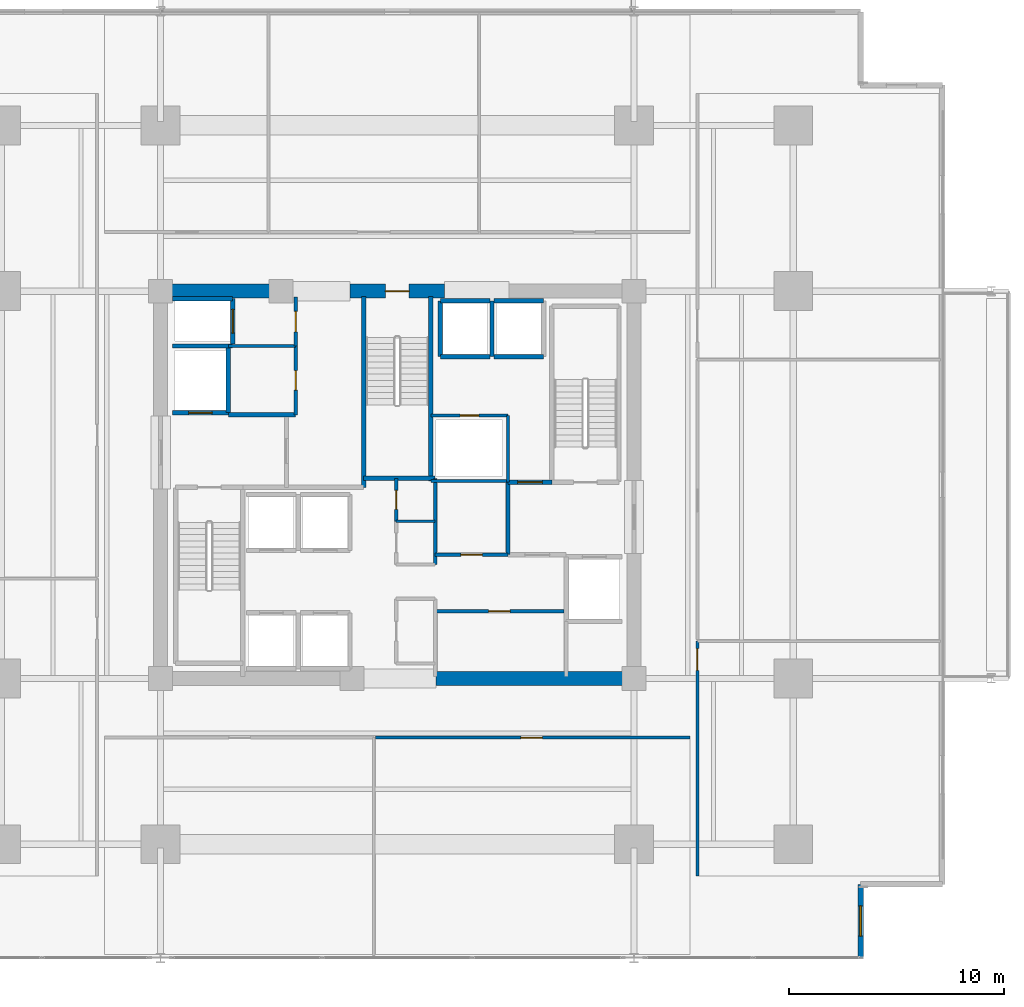
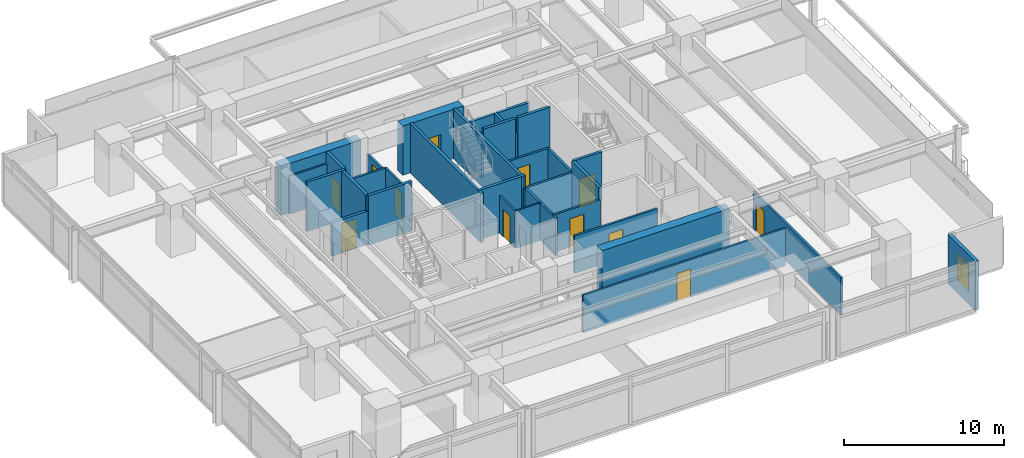
# One storey, part 16 of 22: 34 walls, 12 doors, 1 window, 13 openings.
"""IFC4 building model written with IfcOpenShell, lengths in metres."""

import ifcopenshell
import ifcopenshell.guid

model = None  # the IFC model being written
_history = None  # IfcOwnerHistory: only IFC2X3 demands one
_inside = {}  # id of a spatial element -> (the spatial element, [elements in it])
_under = {}  # id of a project, library or spatial element -> (it, [spatial elements below it])
_declared = {}  # id of a project -> (the project, [libraries it declares])
_typed = {}  # id of a type object -> (the type object, [elements of that type])
_made_of = {}  # id of a material, layer set ... -> (it, [elements and type objects made of it])


def new_model(schema):
    """Start an empty IFC model of exactly this schema.

    Asked for "IFC4X3", IfcOpenShell would pick the latest addendum, in which some entities
    have other attributes; the version numbers below select the first issue.
    IFC2X3 requires an IfcOwnerHistory on every rooted entity: one is made here for all.
    """
    global model, _history
    if schema == "IFC4X3":
        model = ifcopenshell.file(schema_version=(4, 3, 0, 0))
    else:
        model = ifcopenshell.file(schema=schema)
    _inside.clear()
    _under.clear()
    _declared.clear()
    _typed.clear()
    _made_of.clear()
    _history = None
    if model.schema == "IFC2X3":
        org = make("IfcOrganization", Name="unknown")
        user = make(
            "IfcPersonAndOrganization",
            ThePerson=make("IfcPerson", FamilyName="unknown"),
            TheOrganization=org,
        )
        app = make(
            "IfcApplication",
            ApplicationDeveloper=org,
            Version="unknown",
            ApplicationFullName="unknown",
            ApplicationIdentifier="unknown",
        )
        _history = make(
            "IfcOwnerHistory",
            OwningUser=user,
            OwningApplication=app,
            ChangeAction="ADDED",
            CreationDate=0,
        )
    return model


def make(cls, **values):
    """One entity of the class cls with the attributes given. An attribute that is None is left unset."""
    return model.create_entity(
        cls, **{name: value for name, value in values.items() if value is not None}
    )


def rooted(cls, **values):
    """An entity with a GlobalId (a new one), such as an element, a storey or a relation."""
    return make(cls, GlobalId=ifcopenshell.guid.new(), OwnerHistory=_history, **values)


def si_unit(unit_type, name, prefix=None):
    """IfcSIUnit, for example si_unit("LENGTHUNIT", "METRE", prefix="MILLI")."""
    return make("IfcSIUnit", UnitType=unit_type, Prefix=prefix, Name=name)


def assignment(units):
    """IfcUnitAssignment: the units of a project."""
    return None if units is None else make("IfcUnitAssignment", Units=units)


def point(xyz):
    """IfcCartesianPoint."""
    return None if xyz is None else make("IfcCartesianPoint", Coordinates=xyz)


def direction(xyz):
    """IfcDirection."""
    return None if xyz is None else make("IfcDirection", DirectionRatios=xyz)


def frame(location, z_axis=None, x_axis=None):
    """IfcAxis2Placement3D, a coordinate frame: its origin and axes. An axis left out is left unset."""
    return make(
        "IfcAxis2Placement3D",
        Location=point(location),
        Axis=direction(z_axis),
        RefDirection=direction(x_axis),
    )


def frame_2d(location, x_axis=None):
    """IfcAxis2Placement2D, a coordinate frame in the plane: its origin and x axis."""
    return make(
        "IfcAxis2Placement2D", Location=point(location), RefDirection=direction(x_axis)
    )


def origin():
    """The frame at (0, 0, 0) with its axes left unset."""
    return frame((0.0, 0.0, 0.0))


def place(relative_to, where):
    """IfcLocalPlacement: puts the frame where relative to a parent placement (None: the world)."""
    return make(
        "IfcLocalPlacement", PlacementRelTo=relative_to, RelativePlacement=where
    )


def context(
    kind, dimensions, precision=None, world=None, true_north=None, identifier=None
):
    """IfcGeometricRepresentationContext, for example the 3D "Model" context."""
    return make(
        "IfcGeometricRepresentationContext",
        ContextIdentifier=identifier,
        ContextType=kind,
        CoordinateSpaceDimension=dimensions,
        Precision=precision,
        WorldCoordinateSystem=world,
        TrueNorth=true_north,
    )


def subcontext(parent, identifier, kind, view, scale=None):
    """IfcGeometricRepresentationSubContext, for example "Body" below "Model"."""
    return make(
        "IfcGeometricRepresentationSubContext",
        ContextIdentifier=identifier,
        ContextType=kind,
        ParentContext=parent,
        TargetScale=scale,
        TargetView=view,
    )


def project(units=None, contexts=None):
    """IfcProject with its units and contexts."""
    return rooted(
        "IfcProject",
        Name="project",
        RepresentationContexts=contexts,
        UnitsInContext=assignment(units),
    )


def spatial(cls, under=None, at=None, **own):
    """A site, building, storey or space (cls), placed at a placement, below another one or the project."""
    s = rooted(cls, ObjectPlacement=at, **own)
    if under is not None:
        _under.setdefault(under.id(), (under, []))[1].append(s)
    return s


def profile(cls, at=None, kind="AREA", **sizes):
    """A parametric profile (cls). Its sizes go by their IFC names, for example OverallWidth=200.0."""
    return make(cls, ProfileType=kind, Position=at, **sizes)


def rectangle(**sizes):
    """IfcRectangleProfileDef."""
    return profile("IfcRectangleProfileDef", **sizes)


def extrude(swept, where, along, depth):
    """IfcExtrudedAreaSolid: the profile swept, set in the frame where, extruded along a direction by depth."""
    return make(
        "IfcExtrudedAreaSolid",
        SweptArea=swept,
        Position=where,
        ExtrudedDirection=direction(along),
        Depth=depth,
    )


def shape(context_of_items, identifier, shape_type, items):
    """IfcShapeRepresentation: the items that make up one representation, for example the "Body"."""
    return make(
        "IfcShapeRepresentation",
        ContextOfItems=context_of_items,
        RepresentationIdentifier=identifier,
        RepresentationType=shape_type,
        Items=items,
    )


def material(Name=None, Category=None):
    """IfcMaterial."""
    return make("IfcMaterial", Name=Name, Category=Category)


def layer(
    of_material, thickness, ventilated=None, Name=None, Category=None, Priority=None
):
    """IfcMaterialLayer: one layer of a wall or slab, of a material (None: an air gap)."""
    return make(
        "IfcMaterialLayer",
        Material=of_material,
        LayerThickness=thickness,
        IsVentilated=ventilated,
        Name=Name,
        Category=Category,
        Priority=Priority,
    )


def layer_set(layers, Name=None):
    """IfcMaterialLayerSet."""
    return make("IfcMaterialLayerSet", MaterialLayers=layers, LayerSetName=Name)


def made_of(thing, what):
    """Note that an element or type object is made of a material, layer set ...; save() writes the relation."""
    if what is not None:
        _made_of.setdefault(what.id(), (what, []))[1].append(thing)
    return thing


def type_object(cls, material=None, **own):
    """A type object (cls), such as IfcWallType, which elements share."""
    return made_of(rooted(cls, **own), material)


def element(
    cls,
    number,
    at=None,
    inside=None,
    cuts=None,
    type_object=None,
    material=None,
    context=None,
    identifier="Body",
    shape_type=None,
    held_by="IfcProductDefinitionShape",
    body=None,
    shapes=None,
    **own,
):
    """One element of the class cls, such as IfcWall. Its Tag is "e" and its number.

    at: its placement. inside: the storey or other place that contains it. cuts: it is an
    opening in that element (IfcRelVoidsElement). A single representation is given by context,
    identifier, shape_type and body (its items); several are given by shapes. held_by: the class
    of the entity that holds the representations. save() writes the other relations.
    """
    e = rooted(cls, Tag="e%d" % number, ObjectPlacement=at, **own)
    if body is not None:
        shapes = [shape(context, identifier, shape_type, body)]
    if shapes is not None:
        e.Representation = make(held_by, Representations=shapes)
    if inside is not None:
        _inside.setdefault(inside.id(), (inside, []))[1].append(e)
    if cuts is not None:
        rooted(
            "IfcRelVoidsElement", RelatingBuildingElement=cuts, RelatedOpeningElement=e
        )
    if type_object is not None:
        _typed.setdefault(type_object.id(), (type_object, []))[1].append(e)
    return made_of(e, material)


def fill(opening, filler):
    """IfcRelFillsElement: the door or window that sits in an opening."""
    return rooted(
        "IfcRelFillsElement",
        RelatingOpeningElement=opening,
        RelatedBuildingElement=filler,
    )


def aggregate(whole, parts):
    """IfcRelAggregates: a whole, such as a stair, and the parts it consists of."""
    return rooted("IfcRelAggregates", RelatingObject=whole, RelatedObjects=parts)


def save(model, path):
    """Write the relations noted so far, then the file.

    IfcRelAggregates (storeys below a building ...), IfcRelContainedInSpatialStructure (elements
    in a storey), IfcRelDefinesByType, IfcRelAssociatesMaterial and IfcRelDeclares: one each for
    every whole, place, type object, material and project.
    """
    for whole, parts in _under.values():
        aggregate(whole, parts)
    for where, things in _inside.values():
        rooted(
            "IfcRelContainedInSpatialStructure",
            RelatedElements=things,
            RelatingStructure=where,
        )
    for kind, things in _typed.values():
        rooted("IfcRelDefinesByType", RelatedObjects=things, RelatingType=kind)
    for what, things in _made_of.values():
        rooted("IfcRelAssociatesMaterial", RelatedObjects=things, RelatingMaterial=what)
    for by, libraries in _declared.values():
        rooted("IfcRelDeclares", RelatingContext=by, RelatedDefinitions=libraries)
    model.write(path)


model = new_model("IFC4")

# Units and contexts
model_context = context("Model", 3, precision=1e-05, world=origin(), true_north=direction((0.0, 1.0)))
body_context = subcontext(model_context, "Body", "Model", "MODEL_VIEW")
ifc_project = project(units=[si_unit("LENGTHUNIT", "METRE"), si_unit("AREAUNIT", "SQUARE_METRE"), si_unit("VOLUMEUNIT", "CUBIC_METRE"), si_unit("PLANEANGLEUNIT", "RADIAN"), si_unit("MASSUNIT", "GRAM", prefix="KILO")], contexts=[model_context])

# Site, building, storey
site_placement = place(None, origin())
site = spatial("IfcSite", under=ifc_project, at=site_placement, CompositionType="ELEMENT")
building_placement = place(site_placement, origin())
building = spatial("IfcBuilding", under=site, at=building_placement, Name="Kovane Verandah Tower", CompositionType="ELEMENT")
storey_placement = place(building_placement, frame((0.0, 0.0, 43.60009765625)))
storey = spatial("IfcBuildingStorey", under=building, at=storey_placement, Name="L09", CompositionType="ELEMENT", Elevation=43.60009765625)

# Wall
ifc_material_1 = material(Name="Fire-Rated Gypsum Stud Partition", Category="gypsum")
ifc_layer_1 = layer(ifc_material_1, 0.14990234375)
ifc_layer_set_1 = layer_set([ifc_layer_1], Name="Fire-Rated Gypsum Stud Partition")
wall_type_1 = type_object("IfcWallType", Name="WL-COR-150", PredefinedType="PARTITIONING", material=ifc_layer_set_1)
wall_1_placement = place(storey_placement, frame((41.760009765625, 23.800048828125, 0.0), z_axis=(0.0, 0.0, 1.0), x_axis=(0.0, 1.0, 0.0)))
element("IfcWall", 1, at=wall_1_placement, inside=storey, type_object=wall_type_1, Name="L09 Central Core Strip Upper East Wall", PredefinedType="PARTITIONING", context=body_context, shape_type="SweptSolid", body=[
    extrude(rectangle(XDim=4.0, YDim=0.14990234375, at=frame_2d((2.0, 0.0))), origin(), (0.0, 0.0, 1.0), 2.849853515625),
])

# Wall, opening, door
wall_2_placement = place(storey_placement, frame((39.949951171875, 25.800048828125, 0.0), z_axis=(0.0, 0.0, 1.0), x_axis=(0.0, 1.0, 0.0)))
wall_2 = element("IfcWall", 2, at=wall_2_placement, inside=storey, type_object=wall_type_1, Name="L09 Telecom and BMS Riser Room Partition", PredefinedType="PARTITIONING", context=body_context, shape_type="SweptSolid", body=[
    extrude(rectangle(XDim=2.0, YDim=0.14990234375, at=frame_2d((1.0, 0.0))), origin(), (0.0, 0.0, 1.0), 2.849853515625),
])
opening_1_placement = place(wall_2_placement, frame((0.56005859375, 0.0, 0.0)))
opening_1 = element("IfcOpeningElement", 3, at=opening_1_placement, cuts=wall_2, Name="Opening DR-L09-023", PredefinedType="OPENING", context=body_context, shape_type="SweptSolid", body=[
    extrude(rectangle(XDim=0.8798828125, YDim=2.10009765625, at=frame_2d((0.43994140625, 1.050048828125))), frame((0.0, 0.074951171875, 0.0), z_axis=(0.0, -1.0, 0.0), x_axis=(1.0, 0.0, 0.0)), (0.0, 0.0, 1.0), 0.14990234375),
])
ifc_material_2 = material(Name="Fire-Rated Steel Riser Access Door", Category="steel")
door_type_1 = type_object("IfcDoorType", Name="DR-RISER-880", OperationType="SINGLE_SWING_LEFT", PredefinedType="DOOR", material=ifc_material_2)
door_1_placement = place(opening_1_placement, origin())
door_1 = element("IfcDoor", 4, at=door_1_placement, inside=storey, type_object=door_type_1, Name="L09 Telecom and BMS Riser Room Door", OperationType="SINGLE_SWING_LEFT", OverallHeight=2.10009765625, OverallWidth=0.8798828125, PredefinedType="DOOR", context=body_context, shape_type="SweptSolid", body=[
    extrude(rectangle(XDim=0.8798828125, YDim=2.10009765625, at=frame_2d((0.43994140625, 1.050048828125))), frame((0.0, 0.02490234375, 0.0), z_axis=(0.0, -1.0, 0.0), x_axis=(1.0, 0.0, 0.0)), (0.0, 0.0, 1.0), 0.050048828125),
])
fill(opening_1, door_1)

# Wall
wall_3_placement = place(storey_placement, frame((32.14990234375, 33.949951171875, 0.0), z_axis=(0.0, 0.0, 1.0), x_axis=(1.0, 0.0, 0.0)))
element("IfcWall", 5, at=wall_3_placement, inside=storey, type_object=wall_type_1, Name="L09 Goods Lift Lobby South Wall", PredefinedType="PARTITIONING", context=body_context, shape_type="SweptSolid", body=[
    extrude(rectangle(XDim=3.130126953125, YDim=0.14990234375, at=frame_2d((1.56494140625, 0.0))), origin(), (0.0, 0.0, 1.0), 2.849853515625),
])

# Wall, opening, door
wall_4_placement = place(storey_placement, frame((35.280029296875, 33.949951171875, 0.0), z_axis=(0.0, 0.0, 1.0), x_axis=(0.0, 1.0, 0.0)))
wall_4 = element("IfcWall", 6, at=wall_4_placement, inside=storey, type_object=wall_type_1, Name="L09 Goods Lift Lobby East Fire Partition", PredefinedType="PARTITIONING", context=body_context, shape_type="SweptSolid", body=[
    extrude(rectangle(XDim=2.27001953125, YDim=0.14990234375, at=frame_2d((1.135009765625, 0.0))), origin(), (0.0, 0.0, 1.0), 2.539794921875),
])
opening_2_placement = place(wall_4_placement, frame((0.659912109375, 0.0, 0.0)))
opening_2 = element("IfcOpeningElement", 7, at=opening_2_placement, cuts=wall_4, Name="Opening DR-L09-008", PredefinedType="OPENING", context=body_context, shape_type="SweptSolid", body=[
    extrude(rectangle(XDim=0.949951171875, YDim=2.14990234375, at=frame_2d((0.47509765625, 1.074951171875))), frame((0.0, 0.074951171875, 0.0), z_axis=(0.0, -1.0, 0.0), x_axis=(1.0, 0.0, 0.0)), (0.0, 0.0, 1.0), 0.14990234375),
])
ifc_material_3 = material(Name="Fire-Rated Steel Refuge and Lobby Door", Category="steel")
door_type_2 = type_object("IfcDoorType", Name="DR-FIRE-950", OperationType="SINGLE_SWING_LEFT", PredefinedType="DOOR", material=ifc_material_3)
door_2_placement = place(opening_2_placement, origin())
door_2 = element("IfcDoor", 8, at=door_2_placement, inside=storey, type_object=door_type_2, Name="L09 Goods Lift Lobby Fire Door", OperationType="SINGLE_SWING_RIGHT", OverallHeight=2.14990234375, OverallWidth=0.949951171875, PredefinedType="DOOR", context=body_context, shape_type="SweptSolid", body=[
    extrude(rectangle(XDim=0.949951171875, YDim=2.14990234375, at=frame_2d((0.47509765625, 1.074951171875))), frame((0.0, 0.02490234375, 0.0), z_axis=(0.0, -1.0, 0.0), x_axis=(1.0, 0.0, 0.0)), (0.0, 0.0, 1.0), 0.050048828125),
])
fill(opening_2, door_2)

wall_5_placement = place(storey_placement, frame((35.280029296875, 30.75, 0.0), z_axis=(0.0, 0.0, 1.0), x_axis=(0.0, 1.0, 0.0)))
wall_5 = element("IfcWall", 9, at=wall_5_placement, inside=storey, type_object=wall_type_1, Name="L09 Accessible Unisex Toilet Partition", PredefinedType="PARTITIONING", context=body_context, shape_type="SweptSolid", body=[
    extrude(rectangle(XDim=3.199951171875, YDim=0.14990234375, at=frame_2d((1.60009765625, 0.0))), origin(), (0.0, 0.0, 1.0), 2.849853515625),
])
opening_3_placement = place(wall_5_placement, frame((1.14990234375, 0.0, 0.0)))
opening_3 = element("IfcOpeningElement", 10, at=opening_3_placement, cuts=wall_5, Name="Opening DR-L09-024", PredefinedType="OPENING", context=body_context, shape_type="SweptSolid", body=[
    extrude(rectangle(XDim=0.89990234375, YDim=2.10009765625, at=frame_2d((0.449951171875, 1.050048828125))), frame((0.0, 0.074951171875, 0.0), z_axis=(0.0, -1.0, 0.0), x_axis=(1.0, 0.0, 0.0)), (0.0, 0.0, 1.0), 0.14990234375),
])
ifc_material_4 = material(Name="Moisture-Resistant Laminate Washroom Door", Category="wood")
door_type_3 = type_object("IfcDoorType", Name="DR-WC-900", OperationType="SINGLE_SWING_LEFT", PredefinedType="DOOR", material=ifc_material_4)
door_3_placement = place(opening_3_placement, origin())
door_3 = element("IfcDoor", 11, at=door_3_placement, inside=storey, type_object=door_type_3, Name="L09 Accessible Unisex Toilet Door", OperationType="SINGLE_SWING_LEFT", OverallHeight=2.10009765625, OverallWidth=0.89990234375, PredefinedType="DOOR", context=body_context, shape_type="SweptSolid", body=[
    extrude(rectangle(XDim=0.89990234375, YDim=2.10009765625, at=frame_2d((0.449951171875, 1.050048828125))), frame((0.0, 0.02490234375, 0.0), z_axis=(0.0, -1.0, 0.0), x_axis=(1.0, 0.0, 0.0)), (0.0, 0.0, 1.0), 0.050048828125),
])
fill(opening_3, door_3)

# Wall
wall_6_placement = place(storey_placement, frame((41.56005859375, 27.679931640625, 0.0), z_axis=(0.0, 0.0, 1.0), x_axis=(1.0, 0.0, 0.0)))
element("IfcWall", 12, at=wall_6_placement, inside=storey, type_object=wall_type_1, Name="L09 East Core Service Riser South Wall", PredefinedType="PARTITIONING", context=body_context, shape_type="SweptSolid", body=[
    extrude(rectangle(XDim=3.58984375, YDim=0.14990234375, at=frame_2d((1.794921875, 0.0))), origin(), (0.0, 0.0, 1.0), 2.849853515625),
])

# Wall, opening, door
wall_7_placement = place(storey_placement, frame((41.760009765625, 21.6201171875, 0.0), z_axis=(0.0, 0.0, 1.0), x_axis=(1.0, 0.0, 0.0)))
wall_7 = element("IfcWall", 13, at=wall_7_placement, inside=storey, type_object=wall_type_1, Name="L09 Records Vault Room Partition", PredefinedType="PARTITIONING", context=body_context, shape_type="SweptSolid", body=[
    extrude(rectangle(XDim=5.97998046875, YDim=0.14990234375, at=frame_2d((2.989990234375, 0.0))), origin(), (0.0, 0.0, 1.0), 2.849853515625),
])
opening_4_placement = place(wall_7_placement, frame((2.489990234375, 0.0, 0.0)))
opening_4 = element("IfcOpeningElement", 14, at=opening_4_placement, cuts=wall_7, Name="Opening DR-L09-015", PredefinedType="OPENING", context=body_context, shape_type="SweptSolid", body=[
    extrude(rectangle(XDim=1.0, YDim=2.14990234375, at=frame_2d((0.5, 1.074951171875))), frame((0.0, 0.074951171875, 0.0), z_axis=(0.0, -1.0, 0.0), x_axis=(1.0, 0.0, 0.0)), (0.0, 0.0, 1.0), 0.14990234375),
])
ifc_material_5 = material(Name="FSC Spotted-Gum Timber Fire-Rated Office Door", Category="wood")
door_type_4 = type_object("IfcDoorType", Name="DR-OFF-1000", OperationType="SINGLE_SWING_LEFT", PredefinedType="DOOR", material=ifc_material_5)
door_4_placement = place(opening_4_placement, origin())
door_4 = element("IfcDoor", 15, at=door_4_placement, inside=storey, type_object=door_type_4, Name="L09 Records Vault Room Door", OperationType="SINGLE_SWING_RIGHT", OverallHeight=2.14990234375, OverallWidth=1.0, PredefinedType="DOOR", context=body_context, shape_type="SweptSolid", body=[
    extrude(rectangle(XDim=1.0, YDim=2.14990234375, at=frame_2d((0.5, 1.074951171875))), frame((0.0, 0.02490234375, 0.0), z_axis=(0.0, -1.0, 0.0), x_axis=(1.0, 0.0, 0.0)), (0.0, 0.0, 1.0), 0.050048828125),
])
fill(opening_4, door_4)

wall_8_placement = place(storey_placement, frame((41.760009765625, 24.25, 0.0), z_axis=(0.0, 0.0, 1.0), x_axis=(1.0, 0.0, 0.0)))
wall_8 = element("IfcWall", 16, at=wall_8_placement, inside=storey, type_object=wall_type_1, Name="L09 Document Archive Room Partition", PredefinedType="PARTITIONING", context=body_context, shape_type="SweptSolid", body=[
    extrude(rectangle(XDim=3.389892578125, YDim=0.14990234375, at=frame_2d((1.69482421875, 0.0))), origin(), (0.0, 0.0, 1.0), 2.849853515625),
])
opening_5_placement = place(wall_8_placement, frame((1.195068359375, 0.0, 0.0)))
opening_5 = element("IfcOpeningElement", 17, at=opening_5_placement, cuts=wall_8, Name="Opening DR-L09-016", PredefinedType="OPENING", context=body_context, shape_type="SweptSolid", body=[
    extrude(rectangle(XDim=1.0, YDim=2.14990234375, at=frame_2d((0.5, 1.074951171875))), frame((0.0, 0.074951171875, 0.0), z_axis=(0.0, -1.0, 0.0), x_axis=(1.0, 0.0, 0.0)), (0.0, 0.0, 1.0), 0.14990234375),
])
door_5_placement = place(opening_5_placement, origin())
door_5 = element("IfcDoor", 18, at=door_5_placement, inside=storey, type_object=door_type_4, Name="L09 Document Archive Room Door", OperationType="SINGLE_SWING_LEFT", OverallHeight=2.14990234375, OverallWidth=1.0, PredefinedType="DOOR", context=body_context, shape_type="SweptSolid", body=[
    extrude(rectangle(XDim=1.0, YDim=2.14990234375, at=frame_2d((0.5, 1.074951171875))), frame((0.0, 0.02490234375, 0.0), z_axis=(0.0, -1.0, 0.0), x_axis=(1.0, 0.0, 0.0)), (0.0, 0.0, 1.0), 0.050048828125),
])
fill(opening_5, door_5)

# Wall
wall_9_placement = place(storey_placement, frame((45.14990234375, 27.6201171875, 0.0), z_axis=(0.0, 0.0, 1.0), x_axis=(0.0, 1.0, 0.0)))
element("IfcWall", 19, at=wall_9_placement, inside=storey, type_object=wall_type_1, Name="L09 East Core Service Riser East Wall", PredefinedType="PARTITIONING", context=body_context, shape_type="SweptSolid", body=[
    extrude(rectangle(XDim=3.099853515625, YDim=0.14990234375, at=frame_2d((1.5498046875, 0.0))), origin(), (0.0, 0.0, 1.0), 2.849853515625),
])

# Wall, opening, door
wall_10_placement = place(storey_placement, frame((41.56005859375, 30.719970703125, 0.0), z_axis=(0.0, 0.0, 1.0), x_axis=(1.0, 0.0, 0.0)))
wall_10 = element("IfcWall", 20, at=wall_10_placement, inside=storey, type_object=wall_type_1, Name="L09 Combined Chilled Water and Smoke Duct Room Partition", PredefinedType="PARTITIONING", context=body_context, shape_type="SweptSolid", body=[
    extrude(rectangle(XDim=3.58984375, YDim=0.14990234375, at=frame_2d((1.794921875, 0.0))), origin(), (0.0, 0.0, 1.0), 2.849853515625),
])
opening_6_placement = place(wall_10_placement, frame((1.35498046875, 0.0, 0.0)))
opening_6 = element("IfcOpeningElement", 21, at=opening_6_placement, cuts=wall_10, Name="Opening DR-L09-017", PredefinedType="OPENING", context=body_context, shape_type="SweptSolid", body=[
    extrude(rectangle(XDim=0.8798828125, YDim=2.10009765625, at=frame_2d((0.43994140625, 1.050048828125))), frame((0.0, 0.074951171875, 0.0), z_axis=(0.0, -1.0, 0.0), x_axis=(1.0, 0.0, 0.0)), (0.0, 0.0, 1.0), 0.14990234375),
])
door_6_placement = place(opening_6_placement, origin())
door_6 = element("IfcDoor", 22, at=door_6_placement, inside=storey, type_object=door_type_1, Name="L09 Combined Chilled Water and Smoke Duct Room Door", OperationType="SINGLE_SWING_RIGHT", OverallHeight=2.10009765625, OverallWidth=0.8798828125, PredefinedType="DOOR", context=body_context, shape_type="SweptSolid", body=[
    extrude(rectangle(XDim=0.8798828125, YDim=2.10009765625, at=frame_2d((0.43994140625, 1.050048828125))), frame((0.0, 0.02490234375, 0.0), z_axis=(0.0, -1.0, 0.0), x_axis=(1.0, 0.0, 0.0)), (0.0, 0.0, 1.0), 0.050048828125),
])
fill(opening_6, door_6)

wall_11_placement = place(storey_placement, frame((38.98193359375, 15.75, 0.0), z_axis=(0.0, 0.0, 1.0), x_axis=(1.0, 0.0, 0.0)))
wall_11 = element("IfcWall", 23, at=wall_11_placement, inside=storey, type_object=wall_type_1, Name="L09 Breakout Pantry S2 Corridor Partition", PredefinedType="PARTITIONING", context=body_context, shape_type="SweptSolid", body=[
    extrude(rectangle(XDim=14.6181640625, YDim=0.14990234375, at=frame_2d((7.30908203125, 0.0))), origin(), (0.0, 0.0, 1.0), 2.849853515625),
])
opening_7_placement = place(wall_11_placement, frame((6.759033203125, 0.0, 0.0)))
opening_7 = element("IfcOpeningElement", 24, at=opening_7_placement, cuts=wall_11, Name="Opening DR-L09-022", PredefinedType="OPENING", context=body_context, shape_type="SweptSolid", body=[
    extrude(rectangle(XDim=1.0, YDim=2.14990234375, at=frame_2d((0.5, 1.074951171875))), frame((0.0, 0.074951171875, 0.0), z_axis=(0.0, -1.0, 0.0), x_axis=(1.0, 0.0, 0.0)), (0.0, 0.0, 1.0), 0.14990234375),
])
door_7_placement = place(opening_7_placement, origin())
door_7 = element("IfcDoor", 25, at=door_7_placement, inside=storey, type_object=door_type_4, Name="L09 Breakout Pantry S2 Entrance Door", OperationType="SINGLE_SWING_LEFT", OverallHeight=2.14990234375, OverallWidth=1.0, PredefinedType="DOOR", context=body_context, shape_type="SweptSolid", body=[
    extrude(rectangle(XDim=1.0, YDim=2.14990234375, at=frame_2d((0.5, 1.074951171875))), frame((0.0, 0.02490234375, 0.0), z_axis=(0.0, -1.0, 0.0), x_axis=(1.0, 0.0, 0.0)), (0.0, 0.0, 1.0), 0.050048828125),
])
fill(opening_7, door_7)

wall_12_placement = place(storey_placement, frame((53.949951171875, 9.326904296875, 0.0), z_axis=(0.0, 0.0, 1.0), x_axis=(0.0, 1.0, 0.0)))
wall_12 = element("IfcWall", 26, at=wall_12_placement, inside=storey, type_object=wall_type_1, Name="L09 Open Plan Office E1 Corridor Partition", PredefinedType="PARTITIONING", context=body_context, shape_type="SweptSolid", body=[
    extrude(rectangle(XDim=10.90380859375, YDim=0.14990234375, at=frame_2d((5.451904296875, 0.0))), origin(), (0.0, 0.0, 1.0), 2.849853515625),
])
opening_8_placement = place(wall_12_placement, frame((9.553466796875, 0.0, 0.0)))
opening_8 = element("IfcOpeningElement", 27, at=opening_8_placement, cuts=wall_12, Name="Opening DR-L09-012", PredefinedType="OPENING", context=body_context, shape_type="SweptSolid", body=[
    extrude(rectangle(XDim=1.0, YDim=2.14990234375, at=frame_2d((0.5, 1.074951171875))), frame((0.0, 0.074951171875, 0.0), z_axis=(0.0, -1.0, 0.0), x_axis=(1.0, 0.0, 0.0)), (0.0, 0.0, 1.0), 0.14990234375),
])
door_8_placement = place(opening_8_placement, origin())
door_8 = element("IfcDoor", 28, at=door_8_placement, inside=storey, type_object=door_type_4, Name="L09 Open Plan Office E1 Entrance Door", OperationType="SINGLE_SWING_RIGHT", OverallHeight=2.14990234375, OverallWidth=1.0, PredefinedType="DOOR", context=body_context, shape_type="SweptSolid", body=[
    extrude(rectangle(XDim=1.0, YDim=2.14990234375, at=frame_2d((0.5, 1.074951171875))), frame((0.0, 0.02490234375, 0.0), z_axis=(0.0, -1.0, 0.0), x_axis=(1.0, 0.0, 0.0)), (0.0, 0.0, 1.0), 0.050048828125),
])
fill(opening_8, door_8)

# Walls
ifc_material_6 = material(Name="Concrete C80/95", Category="concrete")
ifc_layer_2 = layer(ifc_material_6, 0.64990234375)
ifc_layer_set_2 = layer_set([ifc_layer_2], Name="Concrete C80/95")
wall_type_2 = type_object("IfcWallType", Name="WL-CORE-650", PredefinedType="SHEAR", material=ifc_layer_set_2)
wall_13_placement = place(storey_placement, frame((41.800048828125, 18.5, 0.0), z_axis=(0.0, 0.0, 1.0), x_axis=(1.0, 0.0, 0.0)))
element("IfcWall", 29, at=wall_13_placement, inside=storey, type_object=wall_type_2, Name="L09 Core Shear Wall CS-2", PredefinedType="SHEAR", context=body_context, shape_type="SweptSolid", body=[
    extrude(rectangle(XDim=9.199951171875, YDim=0.64990234375, at=frame_2d((4.60009765625, 0.0))), origin(), (0.0, 0.0, 1.0), 3.760009765625),
])
wall_14_placement = place(storey_placement, frame((29.0, 36.5, 0.0), z_axis=(0.0, 0.0, 1.0), x_axis=(1.0, 0.0, 0.0)))
element("IfcWall", 30, at=wall_14_placement, inside=storey, type_object=wall_type_2, Name="L09 Core Shear Wall CN-1", PredefinedType="SHEAR", context=body_context, shape_type="SweptSolid", body=[
    extrude(rectangle(XDim=5.800048828125, YDim=0.64990234375, at=frame_2d((2.89990234375, 0.0))), origin(), (0.0, 0.0, 1.0), 3.760009765625),
])

# Wall, opening, door
wall_15_placement = place(storey_placement, frame((37.800048828125, 36.5, 0.0), z_axis=(0.0, 0.0, 1.0), x_axis=(1.0, 0.0, 0.0)))
wall_15 = element("IfcWall", 31, at=wall_15_placement, inside=storey, type_object=wall_type_2, Name="L09 Core Shear Wall CN-2", PredefinedType="SHEAR", context=body_context, shape_type="SweptSolid", body=[
    extrude(rectangle(XDim=4.39990234375, YDim=0.64990234375, at=frame_2d((2.199951171875, 0.0))), origin(), (0.0, 0.0, 1.0), 3.760009765625),
])
opening_9_placement = place(wall_15_placement, frame((1.64990234375, 0.0, 0.0)))
opening_9 = element("IfcOpeningElement", 32, at=opening_9_placement, cuts=wall_15, Name="Opening DR-L09-011", PredefinedType="OPENING", context=body_context, shape_type="SweptSolid", body=[
    extrude(rectangle(XDim=1.10009765625, YDim=2.14990234375, at=frame_2d((0.550048828125, 1.074951171875))), frame((0.0, 0.324951171875, 0.0), z_axis=(0.0, -1.0, 0.0), x_axis=(1.0, 0.0, 0.0)), (0.0, 0.0, 1.0), 0.64990234375),
])
ifc_material_7 = material(Name="Fire-Rated Steel Exit Door", Category="steel")
door_type_5 = type_object("IfcDoorType", Name="DR-STAIR-1100", OperationType="SINGLE_SWING_LEFT", PredefinedType="DOOR", material=ifc_material_7)
door_9_placement = place(opening_9_placement, origin())
door_9 = element("IfcDoor", 33, at=door_9_placement, inside=storey, type_object=door_type_5, Name="L09 ST-03 Fire Exit Stair Door", OperationType="SINGLE_SWING_RIGHT", OverallHeight=2.14990234375, OverallWidth=1.10009765625, PredefinedType="DOOR", context=body_context, shape_type="SweptSolid", body=[
    extrude(rectangle(XDim=1.10009765625, YDim=2.14990234375, at=frame_2d((0.550048828125, 1.074951171875))), frame((0.0, 0.02490234375, 0.0), z_axis=(0.0, -1.0, 0.0), x_axis=(1.0, 0.0, 0.0)), (0.0, 0.0, 1.0), 0.050048828125),
])
fill(opening_9, door_9)

# Walls
ifc_material_8 = material(Name="Concrete C45/55 Fire Wall", Category="concrete")
ifc_layer_3 = layer(ifc_material_8, 0.199951171875)
ifc_layer_set_3 = layer_set([ifc_layer_3], Name="Concrete C45/55 Fire Wall")
wall_type_3 = type_object("IfcWallType", Name="WL-FFL-200", PredefinedType="PARTITIONING", material=ifc_layer_set_3)
wall_16_placement = place(storey_placement, frame((32.14990234375, 30.75, 0.0), z_axis=(0.0, 0.0, 1.0), x_axis=(1.0, 0.0, 0.0)))
element("IfcWall", 34, at=wall_16_placement, inside=storey, type_object=wall_type_3, Name="L09 West Firefighting Lobby North Fire Wall", PredefinedType="PARTITIONING", context=body_context, shape_type="SweptSolid", body=[
    extrude(rectangle(XDim=3.130126953125, YDim=0.199951171875, at=frame_2d((1.56494140625, 0.0))), origin(), (0.0, 0.0, 1.0), 3.760009765625),
])
wall_17_placement = place(storey_placement, frame((45.14990234375, 24.25, 0.0), z_axis=(0.0, 0.0, 1.0), x_axis=(0.0, 1.0, 0.0)))
element("IfcWall", 35, at=wall_17_placement, inside=storey, type_object=wall_type_3, Name="L09 East Firefighting Lobby West Fire Wall", PredefinedType="PARTITIONING", context=body_context, shape_type="SweptSolid", body=[
    extrude(rectangle(XDim=3.3701171875, YDim=0.199951171875, at=frame_2d((1.68505859375, 0.0))), origin(), (0.0, 0.0, 1.0), 3.760009765625),
])

# Wall, opening, door
wall_18_placement = place(storey_placement, frame((45.14990234375, 27.6201171875, 0.0), z_axis=(0.0, 0.0, 1.0), x_axis=(1.0, 0.0, 0.0)))
wall_18 = element("IfcWall", 36, at=wall_18_placement, inside=storey, type_object=wall_type_3, Name="W-L09-FFLE-N", PredefinedType="PARTITIONING", context=body_context, shape_type="SweptSolid", body=[
    extrude(rectangle(XDim=2.030029296875, YDim=0.199951171875, at=frame_2d((1.01513671875, 0.0))), origin(), (0.0, 0.0, 1.0), 3.760009765625),
])
opening_10_placement = place(wall_18_placement, frame((0.43994140625, 0.0, 0.0)))
opening_10 = element("IfcOpeningElement", 37, at=opening_10_placement, cuts=wall_18, Name="Opening DR-L09-004", PredefinedType="OPENING", context=body_context, shape_type="SweptSolid", body=[
    extrude(rectangle(XDim=1.14990234375, YDim=2.199951171875, at=frame_2d((0.574951171875, 1.10009765625))), frame((0.0, 0.10009765625, 0.0), z_axis=(0.0, -1.0, 0.0), x_axis=(1.0, 0.0, 0.0)), (0.0, 0.0, 1.0), 0.199951171875),
])
ifc_material_9 = material(Name="Smoke-Sealed Firefighting Lobby Door", Category="steel")
door_type_6 = type_object("IfcDoorType", Name="DR-FFL-1150", OperationType="SINGLE_SWING_LEFT", PredefinedType="DOOR", material=ifc_material_9)
door_10_placement = place(opening_10_placement, origin())
door_10 = element("IfcDoor", 38, at=door_10_placement, inside=storey, type_object=door_type_6, Name="L09 East Firefighting Lobby Shuttle Link Door", OperationType="SINGLE_SWING_LEFT", OverallHeight=2.199951171875, OverallWidth=1.14990234375, PredefinedType="DOOR", context=body_context, shape_type="SweptSolid", body=[
    extrude(rectangle(XDim=1.14990234375, YDim=2.199951171875, at=frame_2d((0.574951171875, 1.10009765625))), frame((0.0, 0.02490234375, 0.0), z_axis=(0.0, -1.0, 0.0), x_axis=(1.0, 0.0, 0.0)), (0.0, 0.0, 1.0), 0.050048828125),
])
fill(opening_10, door_10)

ifc_material_10 = material(Name="Concrete C45/55 Lift Shaft Wall", Category="concrete")
ifc_layer_4 = layer(ifc_material_10, 0.199951171875)
ifc_layer_set_4 = layer_set([ifc_layer_4], Name="Concrete C45/55 Lift Shaft Wall")
wall_type_4 = type_object("IfcWallType", Name="WL-LIFT-200", PredefinedType="SOLIDWALL", material=ifc_layer_set_4)
wall_19_placement = place(storey_placement, frame((29.550048828125, 30.85009765625, 0.0), z_axis=(0.0, 0.0, 1.0), x_axis=(1.0, 0.0, 0.0)))
wall_19 = element("IfcWall", 39, at=wall_19_placement, inside=storey, type_object=wall_type_4, Name="L09 Lift FL-01 S Shaft Wall", PredefinedType="SOLIDWALL", context=body_context, shape_type="SweptSolid", body=[
    extrude(rectangle(XDim=2.599853515625, YDim=0.199951171875, at=frame_2d((1.2998046875, 0.0))), origin(), (0.0, 0.0, 1.0), 2.539794921875),
])
opening_11_placement = place(wall_19_placement, frame((0.75, 0.0, 0.0)))
opening_11 = element("IfcOpeningElement", 40, at=opening_11_placement, cuts=wall_19, Name="Opening LD-L09-001", PredefinedType="OPENING", context=body_context, shape_type="SweptSolid", body=[
    extrude(rectangle(XDim=1.10009765625, YDim=2.199951171875, at=frame_2d((0.550048828125, 1.10009765625))), frame((0.0, 0.10009765625, 0.0), z_axis=(0.0, -1.0, 0.0), x_axis=(1.0, 0.0, 0.0)), (0.0, 0.0, 1.0), 0.199951171875),
])
ifc_material_11 = material(Name="Brushed Stainless Steel Sliding Lift Landing Door", Category="steel")
door_type_7 = type_object("IfcDoorType", Name="DR-LIFT-1100", OperationType="SLIDING_TO_RIGHT", PredefinedType="DOOR", material=ifc_material_11)
door_11_placement = place(opening_11_placement, origin())
door_11 = element("IfcDoor", 41, at=door_11_placement, inside=storey, type_object=door_type_7, Name="L09 Lift FL-01 Sliding Landing Door", OperationType="SLIDING_TO_RIGHT", OverallHeight=2.199951171875, OverallWidth=1.10009765625, PredefinedType="DOOR", context=body_context, shape_type="SweptSolid", body=[
    extrude(rectangle(XDim=1.10009765625, YDim=2.199951171875, at=frame_2d((0.550048828125, 1.10009765625))), frame((0.0, 0.02490234375, 0.0), z_axis=(0.0, -1.0, 0.0), x_axis=(1.0, 0.0, 0.0)), (0.0, 0.0, 1.0), 0.050048828125),
])
fill(opening_11, door_11)

# Walls
wall_20_placement = place(storey_placement, frame((29.550048828125, 33.949951171875, 0.0), z_axis=(0.0, 0.0, 1.0), x_axis=(1.0, 0.0, 0.0)))
element("IfcWall", 42, at=wall_20_placement, inside=storey, type_object=wall_type_4, Name="L09 Lift FL-01 and GL-01 Shared Shaft Wall", PredefinedType="SOLIDWALL", context=body_context, shape_type="SweptSolid", body=[
    extrude(rectangle(XDim=2.800048828125, YDim=0.199951171875, at=frame_2d((1.39990234375, 0.0))), origin(), (0.0, 0.0, 1.0), 3.760009765625),
])
wall_21_placement = place(storey_placement, frame((32.14990234375, 30.85009765625, 0.0), z_axis=(0.0, 0.0, 1.0), x_axis=(0.0, 1.0, 0.0)))
element("IfcWall", 43, at=wall_21_placement, inside=storey, type_object=wall_type_4, Name="L09 Lift FL-01 E Shaft Wall", PredefinedType="SOLIDWALL", context=body_context, shape_type="SweptSolid", body=[
    extrude(rectangle(XDim=3.0, YDim=0.199951171875, at=frame_2d((1.5, 0.0))), origin(), (0.0, 0.0, 1.0), 3.760009765625),
])
wall_22_placement = place(storey_placement, frame((32.35009765625, 36.14990234375, 0.0), z_axis=(0.0, 0.0, 1.0), x_axis=(-1.0, 0.0, 0.0)))
element("IfcWall", 44, at=wall_22_placement, inside=storey, type_object=wall_type_4, Name="L09 Lift GL-01 N Shaft Wall", PredefinedType="SOLIDWALL", context=body_context, shape_type="SweptSolid", body=[
    extrude(rectangle(XDim=2.800048828125, YDim=0.199951171875, at=frame_2d((1.39990234375, 0.0))), origin(), (0.0, 0.0, 1.0), 2.88916015625),
])

# Wall, opening, door
wall_23_placement = place(storey_placement, frame((32.35009765625, 34.050048828125, 0.0), z_axis=(0.0, 0.0, 1.0), x_axis=(0.0, 1.0, 0.0)))
wall_23 = element("IfcWall", 45, at=wall_23_placement, inside=storey, type_object=wall_type_4, Name="L09 Lift GL-01 E Shaft Wall", PredefinedType="SOLIDWALL", context=body_context, shape_type="SweptSolid", body=[
    extrude(rectangle(XDim=2.099853515625, YDim=0.199951171875, at=frame_2d((1.0498046875, 0.0))), origin(), (0.0, 0.0, 1.0), 3.760009765625),
])
opening_12_placement = place(wall_23_placement, frame((0.5, 0.0, 0.0)))
opening_12 = element("IfcOpeningElement", 46, at=opening_12_placement, cuts=wall_23, Name="Opening LD-L09-003", PredefinedType="OPENING", context=body_context, shape_type="SweptSolid", body=[
    extrude(rectangle(XDim=1.10009765625, YDim=2.199951171875, at=frame_2d((0.550048828125, 1.10009765625))), frame((0.0, 0.10009765625, 0.0), z_axis=(0.0, -1.0, 0.0), x_axis=(1.0, 0.0, 0.0)), (0.0, 0.0, 1.0), 0.199951171875),
])
door_12_placement = place(opening_12_placement, origin())
door_12 = element("IfcDoor", 47, at=door_12_placement, inside=storey, type_object=door_type_7, Name="L09 Lift GL-01 Sliding Landing Door", OperationType="SLIDING_TO_RIGHT", OverallHeight=2.199951171875, OverallWidth=1.10009765625, PredefinedType="DOOR", context=body_context, shape_type="SweptSolid", body=[
    extrude(rectangle(XDim=1.10009765625, YDim=2.199951171875, at=frame_2d((0.550048828125, 1.10009765625))), frame((0.0, 0.02490234375, 0.0), z_axis=(0.0, -1.0, 0.0), x_axis=(1.0, 0.0, 0.0)), (0.0, 0.0, 1.0), 0.050048828125),
])
fill(opening_12, door_12)

# Walls
wall_24_placement = place(storey_placement, frame((42.0, 33.449951171875, 0.0), z_axis=(0.0, 0.0, 1.0), x_axis=(1.0, 0.0, 0.0)))
element("IfcWall", 48, at=wall_24_placement, inside=storey, type_object=wall_type_4, Name="L09 Lift SL-01 S Shaft Wall", PredefinedType="SOLIDWALL", context=body_context, shape_type="SweptSolid", body=[
    extrude(rectangle(XDim=2.300048828125, YDim=0.199951171875, at=frame_2d((1.14990234375, 0.0))), origin(), (0.0, 0.0, 1.0), 3.760009765625),
])
wall_25_placement = place(storey_placement, frame((44.300048828125, 36.050048828125, 0.0), z_axis=(0.0, 0.0, 1.0), x_axis=(-1.0, 0.0, 0.0)))
element("IfcWall", 49, at=wall_25_placement, inside=storey, type_object=wall_type_4, Name="L09 Lift SL-01 N Shaft Wall", PredefinedType="SOLIDWALL", context=body_context, shape_type="SweptSolid", body=[
    extrude(rectangle(XDim=2.300048828125, YDim=0.199951171875, at=frame_2d((1.14990234375, 0.0))), origin(), (0.0, 0.0, 1.0), 2.539794921875),
])
for number, where, z_axis, x_axis, name in (
    (50, (42.0, 36.050048828125, 0.0), (0.0, 0.0, 1.0), (0.0, -1.0, 0.0), "L09 Lift SL-01 W Shaft Wall"),
    (51, (44.39990234375, 33.449951171875, 0.0), (0.0, 0.0, 1.0), (0.0, 1.0, 0.0), "L09 Lift OL-01 and SL-01 Shared Shaft Wall"),
):
    element("IfcWall", number, at=place(storey_placement, frame(where, z_axis=z_axis, x_axis=x_axis)), inside=storey, type_object=wall_type_4, Name=name, PredefinedType="SOLIDWALL", context=body_context, shape_type="SweptSolid", body=[
        extrude(rectangle(XDim=2.60009765625, YDim=0.199951171875, at=frame_2d((1.300048828125, 0.0))), origin(), (0.0, 0.0, 1.0), 2.539794921875),
    ])
wall_26_placement = place(storey_placement, frame((44.5, 33.449951171875, 0.0), z_axis=(0.0, 0.0, 1.0), x_axis=(1.0, 0.0, 0.0)))
element("IfcWall", 52, at=wall_26_placement, inside=storey, type_object=wall_type_4, Name="L09 Lift OL-01 S Shaft Wall", PredefinedType="SOLIDWALL", context=body_context, shape_type="SweptSolid", body=[
    extrude(rectangle(XDim=2.300048828125, YDim=0.199951171875, at=frame_2d((1.14990234375, 0.0))), origin(), (0.0, 0.0, 1.0), 3.760009765625),
])
wall_27_placement = place(storey_placement, frame((46.800048828125, 36.050048828125, 0.0), z_axis=(0.0, 0.0, 1.0), x_axis=(-1.0, 0.0, 0.0)))
element("IfcWall", 53, at=wall_27_placement, inside=storey, type_object=wall_type_4, Name="L09 Lift OL-01 N Shaft Wall", PredefinedType="SOLIDWALL", context=body_context, shape_type="SweptSolid", body=[
    extrude(rectangle(XDim=2.300048828125, YDim=0.199951171875, at=frame_2d((1.14990234375, 0.0))), origin(), (0.0, 0.0, 1.0), 2.539794921875),
])
ifc_material_12 = material(Name="Acoustic Fire-Rated Gypsum Partition", Category="gypsum")
ifc_layer_5 = layer(ifc_material_12, 0.1201171875)
ifc_layer_set_5 = layer_set([ifc_layer_5], Name="Acoustic Fire-Rated Gypsum Partition")
wall_type_5 = type_object("IfcWallType", Name="WL-PART-120", PredefinedType="PARTITIONING", material=ifc_layer_set_5)
wall_28_placement = place(storey_placement, frame((39.949951171875, 25.800048828125, 0.0), z_axis=(0.0, 0.0, 1.0), x_axis=(1.0, 0.0, 0.0)))
element("IfcWall", 54, at=wall_28_placement, inside=storey, type_object=wall_type_5, Name="L09 Central Core Strip Upper Dividing Partition", PredefinedType="PARTITIONING", context=body_context, shape_type="SweptSolid", body=[
    extrude(rectangle(XDim=1.81005859375, YDim=0.1201171875, at=frame_2d((0.905029296875, 0.0))), origin(), (0.0, 0.0, 1.0), 2.849853515625),
])
ifc_material_13 = material(Name="Concrete C45/55", Category="concrete")
ifc_layer_6 = layer(ifc_material_13, 0.199951171875)
ifc_layer_set_6 = layer_set([ifc_layer_6], Name="Concrete C45/55")
wall_type_6 = type_object("IfcWallType", Name="WL-SHAFT-200", PredefinedType="SOLIDWALL", material=ifc_layer_set_6)
wall_29_placement = place(storey_placement, frame((38.43994140625, 27.3798828125, 0.0), z_axis=(0.0, 0.0, 1.0), x_axis=(0.0, 1.0, 0.0)))
element("IfcWall", 55, at=wall_29_placement, inside=storey, type_object=wall_type_6, Name="W-L09-ST03-W", PredefinedType="SOLIDWALL", context=body_context, shape_type="SweptSolid", body=[
    extrude(rectangle(XDim=8.8701171875, YDim=0.199951171875, at=frame_2d((4.43505859375, 0.0))), origin(), (0.0, 0.0, 1.0), 3.760009765625),
])
wall_30_placement = place(storey_placement, frame((41.56005859375, 27.679931640625, 0.0), z_axis=(0.0, 0.0, 1.0), x_axis=(0.0, 1.0, 0.0)))
element("IfcWall", 56, at=wall_30_placement, inside=storey, type_object=wall_type_6, Name="W-L09-ST03-E", PredefinedType="SOLIDWALL", context=body_context, shape_type="SweptSolid", body=[
    extrude(rectangle(XDim=8.570068359375, YDim=0.199951171875, at=frame_2d((4.28515625, 0.0))), origin(), (0.0, 0.0, 1.0), 3.760009765625),
])
wall_31_placement = place(storey_placement, frame((38.43994140625, 27.800048828125, 0.0), z_axis=(0.0, 0.0, 1.0), x_axis=(1.0, 0.0, 0.0)))
element("IfcWall", 57, at=wall_31_placement, inside=storey, type_object=wall_type_6, Name="W-L09-ST03-S", PredefinedType="SOLIDWALL", context=body_context, shape_type="SweptSolid", body=[
    extrude(rectangle(XDim=3.320068359375, YDim=0.199951171875, at=frame_2d((1.66015625, 0.0))), origin(), (0.0, 0.0, 1.0), 3.760009765625),
])

# Wall, opening, window
ifc_material_14 = material(Name="Concrete C45/55 Insulated Spandrel Wall", Category="concrete")
ifc_layer_7 = layer(ifc_material_14, 0.260009765625)
ifc_layer_set_7 = layer_set([ifc_layer_7], Name="Concrete C45/55 Insulated Spandrel Wall")
wall_type_7 = type_object("IfcWallType", Name="WL-SPANDREL-260", PredefinedType="PARAPET", material=ifc_layer_set_7)
wall_32_placement = place(storey_placement, frame((61.532958984375, 5.52685546875, 0.0), z_axis=(0.0, 0.0, 1.0), x_axis=(0.0, 1.0, 0.0)))
wall_32 = element("IfcWall", 58, at=wall_32_placement, inside=storey, type_object=wall_type_7, Name="L09 SE Notch Cheek Wall 1", PredefinedType="PARAPET", context=body_context, shape_type="SweptSolid", body=[
    extrude(rectangle(XDim=3.400146484375, YDim=0.260009765625, at=frame_2d((1.7001953125, 0.0))), origin(), (0.0, 0.0, 1.0), 3.760009765625),
])
opening_13_placement = place(wall_32_placement, frame((1.0, 0.0, 0.85009765625)))
opening_13 = element("IfcOpeningElement", 59, at=opening_13_placement, cuts=wall_32, Name="Opening W-01", PredefinedType="OPENING", context=body_context, shape_type="SweptSolid", body=[
    extrude(rectangle(XDim=1.39990234375, YDim=2.0, at=frame_2d((0.699951171875, 1.0))), frame((0.0, 0.1298828125, 0.0), z_axis=(0.0, -1.0, 0.0), x_axis=(1.0, 0.0, 0.0)), (0.0, 0.0, 1.0), 0.260009765625),
])
ifc_material_15 = material(Name="Clear Low-E Laminated Double Glazing in Anodised Frame", Category="glass")
window_type = type_object("IfcWindowType", Name="WN-OPER-1400x2000", PartitioningType="SINGLE_PANEL", PredefinedType="WINDOW", material=ifc_material_15)
window_placement = place(opening_13_placement, origin())
window = element("IfcWindow", 60, at=window_placement, inside=storey, type_object=window_type, Name="L09 SE Re-Entrant Corner Operable Window", OverallHeight=2.0, OverallWidth=1.39990234375, PartitioningType="SINGLE_PANEL", PredefinedType="WINDOW", context=body_context, shape_type="SweptSolid", body=[
    extrude(rectangle(XDim=1.39990234375, YDim=2.0, at=frame_2d((0.699951171875, 1.0))), frame((0.0, 0.030029296875, 0.0), z_axis=(0.0, -1.0, 0.0), x_axis=(1.0, 0.0, 0.0)), (0.0, 0.0, 1.0), 0.06005859375),
])
fill(opening_13, window)

save(model, "model.ifc")
